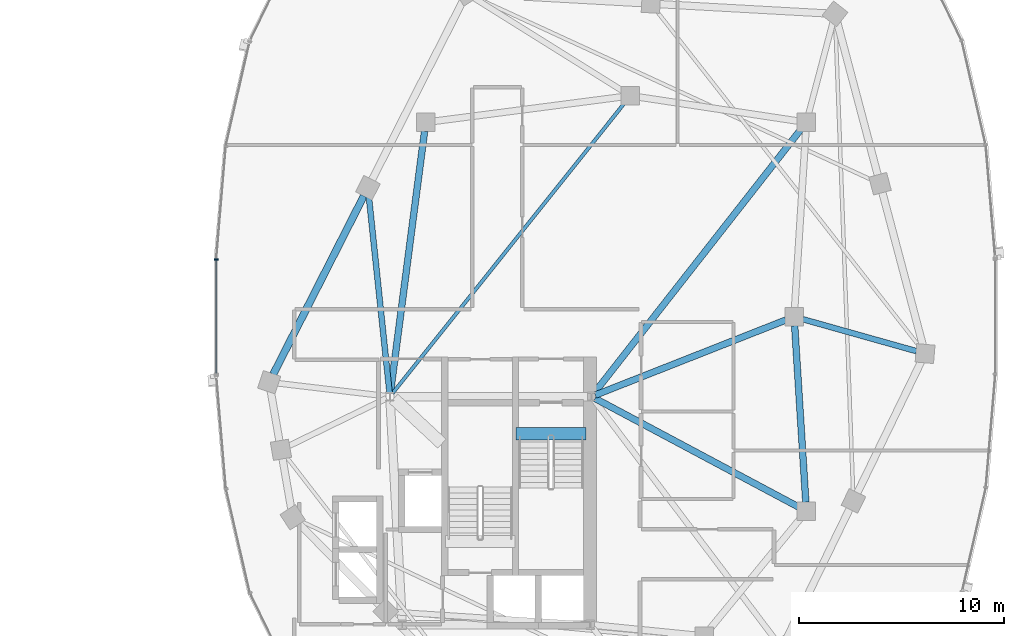
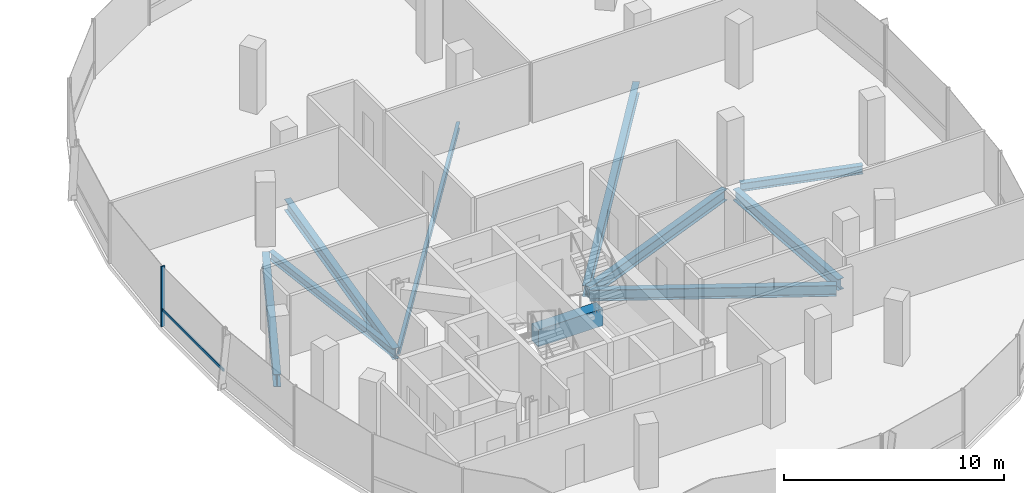
# One storey, part 9 of 25: 10 beams, 2 members, 1 element without a shape of its own.
"""IFC4 building model written with IfcOpenShell, lengths in metres."""

from ifc_helpers import new_model, si_unit, direction, frame, origin, origin_2d, place, context, subcontext, project, spatial, rectangle, i_section, extrude, material, material_profile, profile_set, type_object, element, aggregate, save


model = new_model("IFC4")

# Units and contexts
model_context = context("Model", 3, precision=1e-05, world=origin(), true_north=direction((0.0, 1.0)))
body_context = subcontext(model_context, "Body", "Model", "MODEL_VIEW")
ifc_project = project(units=[si_unit("LENGTHUNIT", "METRE"), si_unit("AREAUNIT", "SQUARE_METRE"), si_unit("VOLUMEUNIT", "CUBIC_METRE"), si_unit("PLANEANGLEUNIT", "RADIAN"), si_unit("MASSUNIT", "GRAM", prefix="KILO"), si_unit("THERMODYNAMICTEMPERATUREUNIT", "KELVIN"), si_unit("POWERUNIT", "WATT")], contexts=[model_context])

# Site, building, storey
site_placement = place(None, origin())
site = spatial("IfcSite", under=ifc_project, at=site_placement, CompositionType="ELEMENT")
building_placement = place(site_placement, origin())
building = spatial("IfcBuilding", under=site, at=building_placement, Name="Cundina Bronze Exchange", CompositionType="ELEMENT")
storey_placement = place(building_placement, frame((0.0, 0.0, 206.199951171875)))
storey = spatial("IfcBuildingStorey", under=building, at=storey_placement, Name="L54", CompositionType="ELEMENT", Elevation=206.199951171875)

# Beams
ifc_material_1 = material(Name="Concrete C60/75", Category="concrete")
ifc_material_profile_1 = material_profile(ifc_material_1, rectangle(XDim=0.60009765625, YDim=0.949951171875, at=origin_2d()), Name="RC600X950", Category="concrete")
ifc_profile_set_1 = profile_set([ifc_material_profile_1], Name="Concrete C60/75")
beam_type_1 = type_object("IfcBeamType", Name="BM-COUP-RC950", PredefinedType="LINTEL", material=ifc_profile_set_1)
beam_1_placement = place(storey_placement, frame((27.6201171875, -5.719970703125, -0.474853515625), z_axis=(1.0, 0.0, 0.0), x_axis=(0.0, 1.0, 0.0)))
element("IfcBeam", 1, at=beam_1_placement, inside=storey, type_object=beam_type_1, Name="L54 Stair E1 Landing Header Beam", PredefinedType="LINTEL", context=body_context, shape_type="SweptSolid", body=[
    extrude(rectangle(XDim=0.60009765625, YDim=0.949951171875, at=origin_2d()), origin(), (0.0, 0.0, 1.0), 3.39990234375),
])
ifc_material_2 = material(Name="Steel ASTM A992 Grade 50", Category="steel")
ifc_material_profile_2 = material_profile(ifc_material_2, i_section(OverallWidth=0.280029296875, OverallDepth=0.462890625, WebThickness=0.0107421875, FlangeThickness=0.017333984375, FilletRadius=0.011962890625, at=origin_2d()), Name="W18X76", Category="steel")
ifc_profile_set_2 = profile_set([ifc_material_profile_2], Name="Steel ASTM A992 Grade 50")
beam_type_2 = type_object("IfcBeamType", Name="BM-FLR-W18A", PredefinedType="BEAM", material=ifc_profile_set_2)
beam_2_placement = place(storey_placement, frame((41.62158203125, -0.11865234375, -0.491455078125), z_axis=(0.96265679604, -0.270724755127, 0.0), x_axis=(0.270724755127, 0.96265679604, 0.0)))
element("IfcBeam", 2, at=beam_2_placement, inside=storey, type_object=beam_type_2, Name="L54 Leg E Chordal Floor Beam 08", PredefinedType="BEAM", context=body_context, shape_type="SweptSolid", body=[
    extrude(i_section(OverallWidth=0.280029296875, OverallDepth=0.462890625, WebThickness=0.0107421875, FlangeThickness=0.017333984375, FilletRadius=0.011962890625, at=origin_2d()), origin(), (0.0, 0.0, 1.0), 5.7724609375),
])
beam_3_placement = place(storey_placement, frame((21.429443359375, -3.705078125, -0.491455078125), z_axis=(-0.104810251666, 0.994492237851, 0.0), x_axis=(-0.994492237851, -0.104810251666, 0.0)))
element("IfcBeam", 3, at=beam_3_placement, inside=storey, type_object=beam_type_2, Name="L54 Leg E Chordal Floor Beam 13", PredefinedType="BEAM", context=body_context, shape_type="SweptSolid", body=[
    extrude(i_section(OverallWidth=0.280029296875, OverallDepth=0.462890625, WebThickness=0.0107421875, FlangeThickness=0.017333984375, FilletRadius=0.011962890625, at=origin_2d()), origin(), (0.0, 0.0, 1.0), 9.62255859375),
])
ifc_material_profile_3 = material_profile(ifc_material_2, i_section(OverallWidth=0.172119140625, OverallDepth=0.35791015625, WebThickness=0.0078125, FlangeThickness=0.01318359375, FilletRadius=0.010009765625, at=origin_2d()), Name="W14X38", Category="steel")
ifc_profile_set_3 = profile_set([ifc_material_profile_3], Name="Steel ASTM A992 Grade 50")
beam_type_3 = type_object("IfcBeamType", Name="BM-JST-W14", PredefinedType="JOIST", material=ifc_profile_set_3)
beam_4_placement = place(storey_placement, frame((21.572509765625, -3.746826171875, -0.43896484375), z_axis=(0.624364266872, 0.781133319129, 0.0), x_axis=(-0.781133319129, 0.624364266872, 0.0)))
element("IfcBeam", 4, at=beam_4_placement, inside=storey, type_object=beam_type_3, Name="L54 E Interior Core-to-Ring Joist 2", PredefinedType="JOIST", context=body_context, shape_type="SweptSolid", body=[
    extrude(i_section(OverallWidth=0.172119140625, OverallDepth=0.35791015625, WebThickness=0.0078125, FlangeThickness=0.01318359375, FilletRadius=0.010009765625, at=origin_2d()), origin(), (0.0, 0.0, 1.0), 18.184814453125),
])
ifc_material_profile_4 = material_profile(ifc_material_2, i_section(OverallWidth=0.324951171875, OverallDepth=0.615966796875, WebThickness=0.013916015625, FlangeThickness=0.021484375, FilletRadius=0.01611328125, at=origin_2d()), Name="W24X117", Category="steel")
ifc_profile_set_4 = profile_set([ifc_material_profile_4], Name="Steel ASTM A992 Grade 50")
beam_type_4 = type_object("IfcBeamType", Name="BM-RING-W24", PredefinedType="USERDEFINED", material=ifc_profile_set_4)
beam_5_placement = place(storey_placement, frame((41.7724609375, -9.06298828125, -0.56787109375), z_axis=(-0.063046519736, 0.998010589297, 0.0), x_axis=(-0.998010589297, -0.063046519736, 0.0)))
element("IfcBeam", 5, at=beam_5_placement, inside=storey, type_object=beam_type_4, Name="L54 E Inner Structural Ring Girder 03", ObjectType="GIRDER", PredefinedType="USERDEFINED", context=body_context, shape_type="SweptSolid", body=[
    extrude(i_section(OverallWidth=0.324951171875, OverallDepth=0.615966796875, WebThickness=0.013916015625, FlangeThickness=0.021484375, FilletRadius=0.01611328125, at=origin_2d()), origin(), (0.0, 0.0, 1.0), 8.64306640625),
])
beam_6_placement = place(storey_placement, frame((23.143310546875, 9.065673828125, -0.56787109375), z_axis=(-0.129501251979, -0.991579258424, 0.0), x_axis=(0.991579258424, -0.129501251979, 0.0)))
element("IfcBeam", 6, at=beam_6_placement, inside=storey, type_object=beam_type_4, Name="L54 E Inner Structural Ring Girder 07", ObjectType="GIRDER", PredefinedType="USERDEFINED", context=body_context, shape_type="SweptSolid", body=[
    extrude(i_section(OverallWidth=0.324951171875, OverallDepth=0.615966796875, WebThickness=0.013916015625, FlangeThickness=0.021484375, FilletRadius=0.01611328125, at=origin_2d()), origin(), (0.0, 0.0, 1.0), 12.8798828125),
])
beam_7_placement = place(storey_placement, frame((31.482421875, -3.828125, -0.56787109375), z_axis=(0.930404106569, 0.366535398673, 0.0), x_axis=(-0.366535398673, 0.930404106569, 0.0)))
element("IfcBeam", 7, at=beam_7_placement, inside=storey, type_object=beam_type_4, Name="L54 E Core-to-Waist Tie Beam 1", ObjectType="GIRDER", PredefinedType="USERDEFINED", context=body_context, shape_type="SweptSolid", body=[
    extrude(i_section(OverallWidth=0.324951171875, OverallDepth=0.615966796875, WebThickness=0.013916015625, FlangeThickness=0.021484375, FilletRadius=0.01611328125, at=origin_2d()), origin(), (0.0, 0.0, 1.0), 10.00634765625),
])
beam_8_placement = place(storey_placement, frame((31.472900390625, -3.9921875, -0.56787109375), z_axis=(0.882350541683, -0.470592734317, 0.0), x_axis=(0.470592734317, 0.882350541683, 0.0)))
element("IfcBeam", 8, at=beam_8_placement, inside=storey, type_object=beam_type_4, Name="L54 E Core-to-Waist Tie Beam 2", ObjectType="GIRDER", PredefinedType="USERDEFINED", context=body_context, shape_type="SweptSolid", body=[
    extrude(i_section(OverallWidth=0.324951171875, OverallDepth=0.615966796875, WebThickness=0.013916015625, FlangeThickness=0.021484375, FilletRadius=0.01611328125, at=origin_2d()), origin(), (0.0, 0.0, 1.0), 11.26611328125),
])
beam_9_placement = place(storey_placement, frame((31.4208984375, -3.74560546875, -0.56787109375), z_axis=(0.616782900053, 0.787133314123, 0.0), x_axis=(-0.787133314123, 0.616782900053, 0.0)))
element("IfcBeam", 9, at=beam_9_placement, inside=storey, type_object=beam_type_4, Name="L54 E Core-to-Waist Tie Beam 3", ObjectType="GIRDER", PredefinedType="USERDEFINED", context=body_context, shape_type="SweptSolid", body=[
    extrude(i_section(OverallWidth=0.324951171875, OverallDepth=0.615966796875, WebThickness=0.013916015625, FlangeThickness=0.021484375, FilletRadius=0.01611328125, at=origin_2d()), origin(), (0.0, 0.0, 1.0), 16.3896484375),
])
ifc_material_profile_5 = material_profile(ifc_material_2, i_section(OverallWidth=0.35498046875, OverallDepth=0.695068359375, WebThickness=0.015380859375, FlangeThickness=0.02490234375, FilletRadius=0.01806640625, at=origin_2d()), Name="W27X146", Category="steel")
ifc_profile_set_5 = profile_set([ifc_material_profile_5], Name="Steel ASTM A992 Grade 50")
beam_type_5 = type_object("IfcBeamType", Name="BM-RING-W27", PredefinedType="USERDEFINED", material=ifc_profile_set_5)
beam_10_placement = place(storey_placement, frame((20.1767578125, 5.909423828125, -0.607421875), z_axis=(-0.452846871434, -0.891588308039, 0.0), x_axis=(0.891588308039, -0.452846871434, 0.0)))
element("IfcBeam", 10, at=beam_10_placement, inside=storey, type_object=beam_type_5, Name="L54 E Perimeter Ring Girder 13", ObjectType="GIRDER", PredefinedType="USERDEFINED", context=body_context, shape_type="SweptSolid", body=[
    extrude(i_section(OverallWidth=0.35498046875, OverallDepth=0.695068359375, WebThickness=0.015380859375, FlangeThickness=0.02490234375, FilletRadius=0.01806640625, at=origin_2d()), origin(), (0.0, 0.0, 1.0), 9.779052734375),
])

# Curtain wall, members
ifc_material_3 = material(Name="Anodised Bronze Aluminium 6063-T6", Category="aluminium")
curtain_wall_type = type_object("IfcCurtainWallType", Name="CWS-UPP-OFF", PredefinedType="NOTDEFINED", material=ifc_material_3)
curtain_wall_placement = place(storey_placement, origin())
curtain_wall = element("IfcCurtainWall", 11, at=curtain_wall_placement, inside=storey, type_object=curtain_wall_type, Name="L54 CW-05 Curtain Wall Run CWR-L54-E2", PredefinedType="NOTDEFINED")
ifc_material_profile_6 = material_profile(ifc_material_3, rectangle(XDim=0.070068359375, YDim=0.18994140625, at=origin_2d()), Name="AL70X190", Category="aluminium")
ifc_profile_set_6 = profile_set([ifc_material_profile_6], Name="Anodised Bronze Aluminium 6063-T6")
member_type_1 = type_object("IfcMemberType", Name="CWM-MUL-190", PredefinedType="MULLION", material=ifc_profile_set_6)
member_1_placement = place(storey_placement, frame((12.966064453125, 2.794921875, 0.0), z_axis=(0.0, 0.0, 1.0), x_axis=(0.0, -1.0, 0.0)))
member_1 = element("IfcMember", 12, at=member_1_placement, type_object=member_type_1, Name="CW-05 Mullion 7", PredefinedType="MULLION", context=body_context, shape_type="SweptSolid", body=[
    extrude(rectangle(XDim=0.070068359375, YDim=0.18994140625, at=origin_2d()), origin(), (0.0, 0.0, 1.0), 3.340087890625),
])
ifc_material_profile_7 = material_profile(ifc_material_3, rectangle(XDim=0.06494140625, YDim=0.14990234375, at=origin_2d()), Name="AL65X150", Category="aluminium")
ifc_profile_set_7 = profile_set([ifc_material_profile_7], Name="Anodised Bronze Aluminium 6063-T6")
member_type_2 = type_object("IfcMemberType", Name="CWM-TRN-150", PredefinedType="USERDEFINED", material=ifc_profile_set_7)
member_2_placement = place(storey_placement, frame((12.966064453125, 2.756591796875, 0.920166015625), z_axis=(0.0, -1.0, 0.0), x_axis=(1.0, 0.0, 0.0)))
member_2 = element("IfcMember", 13, at=member_2_placement, type_object=member_type_2, Name="CW-05 Spandrel Transom 7", ObjectType="TRANSOM", PredefinedType="USERDEFINED", context=body_context, shape_type="SweptSolid", body=[
    extrude(rectangle(XDim=0.06494140625, YDim=0.14990234375, at=origin_2d()), origin(), (0.0, 0.0, 1.0), 5.51318359375),
])
aggregate(curtain_wall, [member_1, member_2])

save(model, "model.ifc")
